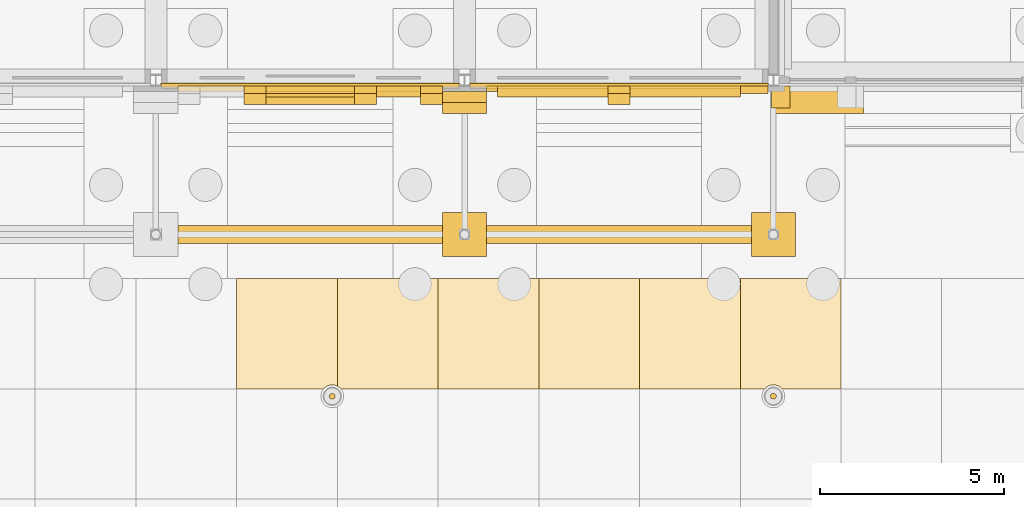
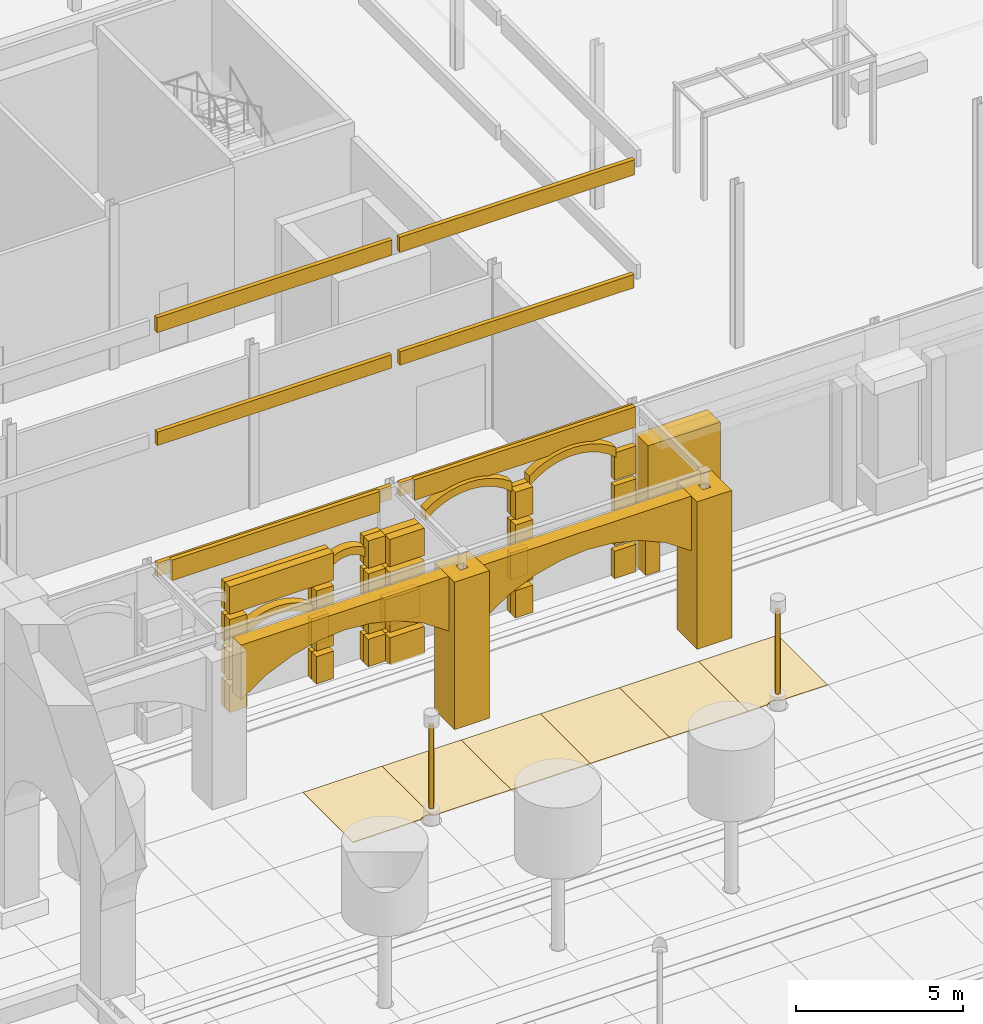
# One storey, part 161 of 222: 68 coverings.
"""IFC4 building model written with IfcOpenShell, lengths in metres."""

from ifc_helpers import new_model, si_unit, direction, frame, origin, origin_2d, place, context, subcontext, project, spatial, polyline, rectangle, hollow_rectangle, circle, outline, extrude, material, layer, layer_set, material_profile, profile_set, type_object, element, save


model = new_model("IFC4")

# Units and contexts
model_context = context("Model", 3, precision=1e-05, world=origin(), true_north=direction((0.0, 1.0)))
body_context = subcontext(model_context, "Body", "Model", "MODEL_VIEW")
ifc_project = project(units=[si_unit("LENGTHUNIT", "METRE"), si_unit("AREAUNIT", "SQUARE_METRE"), si_unit("VOLUMEUNIT", "CUBIC_METRE"), si_unit("PLANEANGLEUNIT", "RADIAN"), si_unit("MASSUNIT", "GRAM", prefix="KILO")], contexts=[model_context])

# Site, building, storey
site_placement = place(None, origin())
site = spatial("IfcSite", under=ifc_project, at=site_placement, CompositionType="ELEMENT")
building_placement = place(site_placement, origin())
building = spatial("IfcBuilding", under=site, at=building_placement, Name="Sava Quay Ferry Terminal", CompositionType="ELEMENT")
storey_placement = place(building_placement, origin())
storey = spatial("IfcBuildingStorey", under=building, at=storey_placement, Name="L00", CompositionType="ELEMENT", Elevation=0.0)

# Coverings
ifc_material_1 = material(Name="Limestone Mutalj ashlar", Category="masonry")
ifc_material_profile = material_profile(ifc_material_1, hollow_rectangle(XDim=1.199951171875, YDim=1.199951171875, WallThickness=0.462890625, at=origin_2d()), Name="Arcade pier 1200")
ifc_profile_set = profile_set([ifc_material_profile], Name="Limestone Mutalj ashlar")
covering_type_1 = type_object("IfcCoveringType", Name="Arcade pier 1200", PredefinedType="CLADDING", material=ifc_profile_set)
for number, where, z_axis, x_axis, name in (
    (1, (117.60009765625, 21.0, 0.0), (0.0, 0.0, 1.0), (1.0, 0.0, 0.0), "Arcade pier"),
    (2, (126.0, 21.0, 0.0), (0.0, 0.0, 1.0), (1.0, 0.0, 0.0), "Arcade pier"),
):
    element("IfcCovering", number, at=place(storey_placement, frame(where, z_axis=z_axis, x_axis=x_axis)), inside=storey, type_object=covering_type_1, Name=name, PredefinedType="CLADDING", context=body_context, shape_type="SweptSolid", body=[
        extrude(hollow_rectangle(XDim=1.199951171875, YDim=1.199951171875, WallThickness=0.462890625, at=origin_2d()), origin(), (0.0, 0.0, 1.0), 5.39990234375),
    ])
ifc_material_2 = material(Name="Limestone Mutalj", Category="masonry")
ifc_layer_1 = layer(ifc_material_2, 0.300048828125)
ifc_layer_set_1 = layer_set([ifc_layer_1], Name="Limestone Mutalj")
covering_type_2 = type_object("IfcCoveringType", Name="Arch band 280", PredefinedType="MOLDING", material=ifc_layer_set_1)
covering_1_placement = place(storey_placement, frame((112.199951171875, 24.739990234375, 2.39990234375), z_axis=(0.0, -1.0, 0.0), x_axis=(0.781799047793, 0.0, 0.623530471485)))
element("IfcCovering", 3, at=covering_1_placement, inside=storey, type_object=covering_type_2, Name="Arch band", PredefinedType="MOLDING", context=body_context, shape_type="SweptSolid", body=[
    extrude(outline(polyline([(0.0, 0.0), (0.30697176602161635, 0.0), (0.5774085434796663, -0.04580853795661438), (0.820139621277012, -0.12635521719699466), (1.0394274147460691, -0.23629570829286917), (1.237403131553046, -0.37295784653010206), (1.4146756881740021, -0.5355781562760831), (1.5706361681328775, -0.7249201131634224), (1.7033442326716173, -0.9438081110252711), (1.8081557286415, -1.1972820210518706), (1.8764322360478165, -1.4965644690350846), (2.1040147689750315, -1.2112154513470075), (2.0113816025263374, -0.9424720286682031), (1.8924127984880728, -0.7067489270997916), (1.751179903284501, -0.49854958809448635), (1.5908047788741946, -0.31474282954357125), (1.41200993106309, -0.1540312088791158), (1.2155565054462616, -0.015460381560357339), (1.0006833564286355, 0.1000153078719414), (0.766477109296122, 0.19125064596886504), (0.5101976399064538, 0.2548099923836675), (0.2275825329272151, 0.2853490176880771), (0.0, 0.0)])), origin(), (0.0, 0.0, -1.0), 0.300048828125),
])
covering_2_placement = place(storey_placement, frame((115.199951171875, 24.739990234375, 3.89990234375), z_axis=(0.0, -1.0, 0.0), x_axis=(0.766686318179, 0.0, 0.642021876199)))
element("IfcCovering", 4, at=covering_2_placement, inside=storey, type_object=covering_type_2, Name="Arch band", PredefinedType="MOLDING", context=body_context, shape_type="SweptSolid", body=[
    extrude(outline(polyline([(0.0, 0.0), (0.15667057654730215, -1.3877787807814457e-17), (0.29293404656438327, -0.02398938309786766), (0.414337308134961, -0.06610472040016957), (0.5230139006591377, -0.1230376562322823), (0.6205921316676617, -0.19360424362325043), (0.7070111298509724, -0.2771166367750381), (0.7823317665186302, -0.3742626814856812), (0.844925734139887, -0.48622632472613514), (0.8926594933146406, -0.6163159221710233), (0.919986145959173, -0.7703949027137791), (1.1489885778747033, -0.49692597916416525), (1.0994043308893047, -0.3694264559410845), (1.0383473638344554, -0.2552470970326215), (0.9677594714851411, -0.1528295969140227), (0.8882067570202763, -0.06073739267965583), (0.8003770662378966, 0.021090386980039788), (0.7042095278284416, 0.09334158786309998), (0.5997650131014718, 0.15532836417148896), (0.4863556762589516, 0.20698984459564596), (0.3634154141219664, 0.2468894662299388), (0.22900243191553027, 0.27346892354961383), (0.0, 0.0)])), origin(), (0.0, 0.0, -1.0), 0.300048828125),
])
covering_3_placement = place(storey_placement, frame((118.5, 24.739990234375, 4.5), z_axis=(0.0, -1.0, 0.0), x_axis=(0.782171011383, 0.0, 0.623063808091)))
element("IfcCovering", 5, at=covering_3_placement, inside=storey, type_object=covering_type_2, Name="Arch band", PredefinedType="MOLDING", context=body_context, shape_type="SweptSolid", body=[
    extrude(outline(polyline([(0.0, 0.0), (0.38361026394291897, 0.0), (0.7217380868167081, -0.05709695615317717), (1.0251448024033882, -0.15738965346254868), (1.2993842465178647, -0.29468969183758004), (1.5471556480034832, -0.4652167214188082), (1.768763237235288, -0.6685888227670815), (1.9639027838382344, -0.9051879153215514), (2.1294931395298256, -1.178490118566637), (2.2607443073734594, -1.4952922933429613), (2.3465130341479634, -1.8691914242724625), (2.5760548521189226, -1.5810332074325149), (2.4648828890282157, -1.2390243496721793), (2.318876547994931, -0.9407452676947119), (2.144615626614576, -0.6783277684654494), (1.9447605091984421, -0.4476484272178306), (1.7214796529038934, -0.24637688278489167), (1.475381518481019, -0.07374929628832916), (1.2058576451797298, 0.06947049339355327), (0.9111214952818136, 0.18064789471874781), (0.5877488455976752, 0.2562679436707819), (0.22954181797095916, 0.2881582168399477), (0.0, 0.0)])), origin(), (0.0, 0.0, -1.0), 0.300048828125),
])
covering_4_placement = place(storey_placement, frame((122.10009765625, 24.739990234375, 4.5), z_axis=(0.0, -1.0, 0.0), x_axis=(0.781923759715, 0.0, 0.623374072281)))
element("IfcCovering", 6, at=covering_4_placement, inside=storey, type_object=covering_type_2, Name="Arch band", PredefinedType="MOLDING", context=body_context, shape_type="SweptSolid", body=[
    extrude(outline(polyline([(0.0, 0.0), (0.3834193343979185, -2.7755575615628914e-17), (0.7215244784021893, -0.05723109819999722), (1.025082280021732, -0.15779635007562864), (1.2992672310674753, -0.2952051775433192), (1.5469709593161145, -0.4658304928504826), (1.7683069472834811, -0.6691383063507048), (1.963352611809143, -0.9058147986260157), (2.129025425761005, -1.1793348664933856), (2.2601508973281392, -1.4961890880363895), (2.3457712791462266, -1.8701222168437752), (2.575427400990079, -1.5820550895462773), (2.464391132924196, -1.2400021530905694), (2.3185031406023544, -0.9416651690212947), (2.144155443320406, -0.6790263644116832), (1.9443918597906626, -0.4482677521537497), (1.7213817715315254, -0.24705983156291944), (1.475352143574657, -0.07433462334636409), (1.2058851115329956, 0.06899208413870384), (0.9110021932435386, 0.1804385992720936), (0.5876595699939753, 0.25618693494582), (0.22965612184385228, 0.288067127297498), (0.0, 0.0)])), origin(), (0.0, 0.0, -1.0), 0.300048828125),
])
ifc_material_3 = material(Name="Limestone Mutalj", Category="masonry")
ifc_layer_2 = layer(ifc_material_3, 0.5)
ifc_layer_set_2 = layer_set([ifc_layer_2], Name="Limestone Mutalj")
covering_type_3 = type_object("IfcCoveringType", Name="Arch spandrel 500", PredefinedType="CLADDING", material=ifc_layer_set_2)
covering_5_placement = place(storey_placement, frame((109.800048828125, 20.75, 3.39990234375), z_axis=(0.0, -1.0, 0.0), x_axis=(0.827289511466, 0.0, 0.561775813131)))
element("IfcCovering", 7, at=covering_5_placement, inside=storey, type_object=covering_type_3, Name="Arch spandrel", PredefinedType="CLADDING", context=body_context, shape_type="SweptSolid", body=[
    extrude(outline(polyline([(0.0, 0.0), (1.0877719725412898, 0.0), (2.0536803747274233, -0.17989488306098533), (2.92338019324587, -0.5010350986935066), (3.7084570438196027, -0.946793875989717), (4.412541708880196, -1.5122589927881132), (5.031801431017692, -2.202205518952071), (5.555256519444271, -3.0336716822838197), (5.956444087558922, -4.044758424080299), (7.079995713820012, -2.3901794011484654), (1.12355162626109, 1.6545790229318331), (0.0, 0.0)])), origin(), (0.0, 0.0, -1.0), 0.5),
])
covering_6_placement = place(storey_placement, frame((118.199951171875, 20.75, 3.39990234375), z_axis=(0.0, -1.0, 0.0), x_axis=(0.82736032354, 0.0, 0.561671518801)))
element("IfcCovering", 8, at=covering_6_placement, inside=storey, type_object=covering_type_3, Name="Arch spandrel", PredefinedType="CLADDING", context=body_context, shape_type="SweptSolid", body=[
    extrude(outline(polyline([(0.0, 0.0), (1.0879739561645294, 0.0), (2.0537030363386926, -0.1796359903397191), (2.9234433315614914, -0.5006665672218591), (3.7087783614579344, -0.9464634993634635), (4.412732312386162, -1.5117027264310134), (5.0322809979880345, -2.2017083087580276), (5.555638906372053, -3.032971350791818), (5.956953931032196, -4.044007510000973), (7.080296968634446, -2.389286862921669), (1.1233430376022504, 1.6547206470793037), (0.0, 0.0)])), origin(), (0.0, 0.0, -1.0), 0.5),
])
ifc_material_4 = material(Name="Limestone Mutalj", Category="masonry")
ifc_layer_3 = layer(ifc_material_4, 0.030029296875)
ifc_layer_set_3 = layer_set([ifc_layer_3], Name="Limestone Mutalj")
covering_type_4 = type_object("IfcCoveringType", Name="Court paving tile 30", PredefinedType="FLOORING", material=ifc_layer_set_3)
covering_7_placement = place(storey_placement, origin())
element("IfcCovering", 9, at=covering_7_placement, inside=storey, type_object=covering_type_4, Name="Limestone paving tile", PredefinedType="FLOORING", context=body_context, shape_type="SweptSolid", body=[
    extrude(outline(polyline([(116.8798828125, 16.800048828125), (116.8798828125, 19.800048828125), (114.139892578125, 19.800048828125), (114.139892578125, 16.8759765625), (114.172119140625, 16.85791015625), (114.196044921875, 16.840087890625), (114.218994140625, 16.820068359375), (114.237060546875, 16.800048828125), (116.8798828125, 16.800048828125)])), origin(), (0.0, 0.0, 1.0), 0.030029296875),
])
covering_8_placement = place(storey_placement, origin())
element("IfcCovering", 10, at=covering_8_placement, inside=storey, type_object=covering_type_4, Name="Limestone paving tile", PredefinedType="FLOORING", context=body_context, shape_type="SweptSolid", body=[
    extrude(outline(polyline([(122.360107421875, 16.800048828125), (122.360107421875, 19.800048828125), (119.6201171875, 19.800048828125), (119.6201171875, 16.800048828125), (122.360107421875, 16.800048828125)])), origin(), (0.0, 0.0, 1.0), 0.030029296875),
])
covering_9_placement = place(storey_placement, origin())
element("IfcCovering", 11, at=covering_9_placement, inside=storey, type_object=covering_type_4, Name="Limestone paving tile", PredefinedType="FLOORING", context=body_context, shape_type="SweptSolid", body=[
    extrude(outline(polyline([(127.840087890625, 16.800048828125), (127.840087890625, 19.800048828125), (125.10009765625, 19.800048828125), (125.10009765625, 16.800048828125), (125.762939453125, 16.800048828125), (125.781005859375, 16.820068359375), (125.802978515625, 16.839111328125), (125.826904296875, 16.85693359375), (125.85302734375, 16.873046875), (125.881103515625, 16.885986328125), (125.909912109375, 16.89697265625), (125.93994140625, 16.904052734375), (125.969970703125, 16.908935546875), (126.0, 16.909912109375), (126.031005859375, 16.907958984375), (126.06103515625, 16.904052734375), (126.090087890625, 16.89599609375), (126.118896484375, 16.885986328125), (126.14697265625, 16.873046875), (126.173095703125, 16.85693359375), (126.197021484375, 16.839111328125), (126.218994140625, 16.820068359375), (126.237060546875, 16.800048828125), (127.840087890625, 16.800048828125)])), origin(), (0.0, 0.0, 1.0), 0.030029296875),
])
ifc_material_5 = material(Name="Red sandstone Vrsac", Category="masonry")
ifc_layer_4 = layer(ifc_material_5, 0.030029296875)
ifc_layer_set_4 = layer_set([ifc_layer_4], Name="Red sandstone Vrsac")
covering_type_5 = type_object("IfcCoveringType", Name="Court paving tile sandstone 30", PredefinedType="FLOORING", material=ifc_layer_set_4)
covering_10_placement = place(storey_placement, origin())
element("IfcCovering", 12, at=covering_10_placement, inside=storey, type_object=covering_type_5, Name="Sandstone paving tile", PredefinedType="FLOORING", context=body_context, shape_type="SweptSolid", body=[
    extrude(outline(polyline([(114.139892578125, 16.8759765625), (114.139892578125, 19.800048828125), (111.39990234375, 19.800048828125), (111.39990234375, 16.800048828125), (113.762939453125, 16.800048828125), (113.781005859375, 16.820068359375), (113.803955078125, 16.840087890625), (113.827880859375, 16.85791015625), (113.85302734375, 16.873046875), (113.882080078125, 16.886962890625), (113.909912109375, 16.89697265625), (113.93896484375, 16.904052734375), (113.968994140625, 16.907958984375), (114.0, 16.909912109375), (114.031005859375, 16.907958984375), (114.06005859375, 16.904052734375), (114.090087890625, 16.89697265625), (114.117919921875, 16.886962890625), (114.139892578125, 16.8759765625)])), origin(), (0.0, 0.0, 1.0), 0.030029296875),
])
covering_11_placement = place(storey_placement, origin())
element("IfcCovering", 13, at=covering_11_placement, inside=storey, type_object=covering_type_5, Name="Sandstone paving tile", PredefinedType="FLOORING", context=body_context, shape_type="SweptSolid", body=[
    extrude(outline(polyline([(119.6201171875, 16.800048828125), (119.6201171875, 19.800048828125), (116.8798828125, 19.800048828125), (116.8798828125, 16.800048828125), (119.6201171875, 16.800048828125)])), origin(), (0.0, 0.0, 1.0), 0.030029296875),
])
covering_12_placement = place(storey_placement, origin())
element("IfcCovering", 14, at=covering_12_placement, inside=storey, type_object=covering_type_5, Name="Sandstone paving tile", PredefinedType="FLOORING", context=body_context, shape_type="SweptSolid", body=[
    extrude(outline(polyline([(125.10009765625, 16.800048828125), (125.10009765625, 19.800048828125), (122.360107421875, 19.800048828125), (122.360107421875, 16.800048828125), (125.10009765625, 16.800048828125)])), origin(), (0.0, 0.0, 1.0), 0.030029296875),
])
ifc_material_6 = material(Name="Steel S355", Category="steel")
ifc_layer_5 = layer(ifc_material_6, 0.159912109375)
ifc_layer_set_5 = layer_set([ifc_layer_5], Name="Steel S355")
covering_type_6 = type_object("IfcCoveringType", Name="Lamp standard column 160", PredefinedType="CLADDING", material=ifc_layer_set_5)
for number, where, z_axis, x_axis, name in (
    (15, (114.0, 16.60009765625, 3.550048828125), (0.0, 0.0, -1.0), (1.0, 0.0, 0.0), "Lamp standard column"),
    (16, (126.0, 16.60009765625, 3.550048828125), (0.0, 0.0, -1.0), (1.0, 0.0, 0.0), "Lamp standard column"),
):
    element("IfcCovering", number, at=place(storey_placement, frame(where, z_axis=z_axis, x_axis=x_axis)), inside=storey, type_object=covering_type_6, Name=name, PredefinedType="CLADDING", context=body_context, shape_type="SweptSolid", body=[
        extrude(circle(Radius=0.080078125, at=origin_2d()), origin(), (0.0, 0.0, 1.0), 3.050048828125),
    ])
ifc_material_7 = material(Name="Limestone Mutalj", Category="masonry")
ifc_layer_6 = layer(ifc_material_7, 0.14990234375)
ifc_layer_set_6 = layer_set([ifc_layer_6], Name="Limestone Mutalj")
covering_type_7 = type_object("IfcCoveringType", Name="Limestone string course 150", PredefinedType="CLADDING", material=ifc_layer_set_6)
covering_13_placement = place(storey_placement, frame((0.0, 0.0, 5.25)))
element("IfcCovering", 17, at=covering_13_placement, inside=storey, type_object=covering_type_7, Name="String course P-S", PredefinedType="CLADDING", context=body_context, shape_type="SweptSolid", body=[
    extrude(outline(polyline([(109.800048828125, 25.0400390625), (117.0, 25.0400390625), (117.0, 24.889892578125), (109.800048828125, 24.889892578125), (109.800048828125, 25.0400390625)])), origin(), (0.0, 0.0, 1.0), 0.75),
])
covering_14_placement = place(storey_placement, frame((0.0, 0.0, 5.25)))
element("IfcCovering", 18, at=covering_14_placement, inside=storey, type_object=covering_type_7, Name="String course P-S", PredefinedType="CLADDING", context=body_context, shape_type="SweptSolid", body=[
    extrude(outline(polyline([(118.199951171875, 25.0400390625), (125.85009765625, 25.0400390625), (125.85009765625, 24.889892578125), (118.199951171875, 24.889892578125), (118.199951171875, 25.0400390625)])), origin(), (0.0, 0.0, 1.0), 0.75),
])
ifc_material_8 = material(Name="Limestone Mutalj", Category="masonry")
ifc_layer_7 = layer(ifc_material_8, 0.60009765625)
ifc_layer_set_7 = layer_set([ifc_layer_7], Name="Limestone Mutalj")
covering_type_8 = type_object("IfcCoveringType", Name="Reveal jamb 600", PredefinedType="MOLDING", material=ifc_layer_set_7)
covering_15_placement = place(storey_placement, frame((126.199951171875, 24.739990234375, 0.06005859375), z_axis=(0.0, 0.0, 1.0), x_axis=(1.0, 0.0, 0.0)))
element("IfcCovering", 19, at=covering_15_placement, inside=storey, type_object=covering_type_8, Name="Reveal jamb", PredefinedType="MOLDING", context=body_context, shape_type="SweptSolid", body=[
    extrude(rectangle(XDim=0.5, YDim=0.60009765625, at=origin_2d()), origin(), (0.0, 0.0, 1.0), 2.340087890625),
])
ifc_material_9 = material(Name="Limestone Mutalj", Category="masonry")
ifc_layer_8 = layer(ifc_material_9, 0.75)
ifc_layer_set_8 = layer_set([ifc_layer_8], Name="Limestone Mutalj")
covering_type_9 = type_object("IfcCoveringType", Name="Reveal lintel 750", PredefinedType="MOLDING", material=ifc_layer_set_8)
covering_16_placement = place(storey_placement, frame((127.199951171875, 24.6650390625, 2.39990234375), z_axis=(0.0, 0.0, 1.0), x_axis=(1.0, 0.0, 0.0)))
element("IfcCovering", 20, at=covering_16_placement, inside=storey, type_object=covering_type_9, Name="Reveal lintel", PredefinedType="MOLDING", context=body_context, shape_type="SweptSolid", body=[
    extrude(rectangle(XDim=2.5, YDim=0.75, at=origin_2d()), origin(), (0.0, 0.0, 1.0), 2.5),
])
ifc_material_10 = material(Name="Limestone Mutalj", Category="masonry")
ifc_layer_9 = layer(ifc_material_10, 0.300048828125)
ifc_layer_set_9 = layer_set([ifc_layer_9], Name="Limestone Mutalj")
covering_type_10 = type_object("IfcCoveringType", Name="Rusticated course deepening 300", PredefinedType="CLADDING", material=ifc_layer_set_9)
for number, where, z_axis, x_axis, name in (
    (21, (117.60009765625, 24.43994140625, 0.0), (0.0, 0.0, 1.0), (1.0, 0.0, 0.0), "Rusticated course deepening"),
    (22, (117.60009765625, 24.43994140625, 1.199951171875), (0.0, 0.0, 1.0), (1.0, 0.0, 0.0), "Rusticated course deepening"),
    (23, (117.60009765625, 24.43994140625, 2.39990234375), (0.0, 0.0, 1.0), (1.0, 0.0, 0.0), "Rusticated course deepening"),
    (24, (117.60009765625, 24.43994140625, 3.60009765625), (0.0, 0.0, 1.0), (1.0, 0.0, 0.0), "Rusticated course deepening"),
):
    element("IfcCovering", number, at=place(storey_placement, frame(where, z_axis=z_axis, x_axis=x_axis)), inside=storey, type_object=covering_type_10, Name=name, PredefinedType="CLADDING", context=body_context, shape_type="SweptSolid", body=[
        extrude(rectangle(XDim=1.199951171875, YDim=0.300048828125, at=origin_2d()), origin(), (0.0, 0.0, 1.0), 1.0),
    ])
for number, where, z_axis, x_axis, name in (
    (25, (111.89990234375, 24.68994140625, 0.0), (0.0, 0.0, 1.0), (1.0, 0.0, 0.0), "Rusticated course deepening"),
    (26, (114.89990234375, 24.68994140625, 0.0), (0.0, 0.0, 1.0), (1.0, 0.0, 0.0), "Rusticated course deepening"),
    (27, (116.699951171875, 24.68994140625, 0.0), (0.0, 0.0, 1.0), (1.0, 0.0, 0.0), "Rusticated course deepening"),
    (28, (111.89990234375, 24.68994140625, 1.199951171875), (0.0, 0.0, 1.0), (1.0, 0.0, 0.0), "Rusticated course deepening"),
    (29, (114.89990234375, 24.68994140625, 1.199951171875), (0.0, 0.0, 1.0), (1.0, 0.0, 0.0), "Rusticated course deepening"),
    (30, (116.699951171875, 24.68994140625, 1.199951171875), (0.0, 0.0, 1.0), (1.0, 0.0, 0.0), "Rusticated course deepening"),
    (31, (111.89990234375, 24.68994140625, 2.39990234375), (0.0, 0.0, 1.0), (1.0, 0.0, 0.0), "Rusticated course deepening"),
    (32, (114.89990234375, 24.68994140625, 2.39990234375), (0.0, 0.0, 1.0), (1.0, 0.0, 0.0), "Rusticated course deepening"),
    (33, (116.699951171875, 24.68994140625, 2.39990234375), (0.0, 0.0, 1.0), (1.0, 0.0, 0.0), "Rusticated course deepening"),
):
    element("IfcCovering", number, at=place(storey_placement, frame(where, z_axis=z_axis, x_axis=x_axis)), inside=storey, type_object=covering_type_10, Name=name, PredefinedType="CLADDING", context=body_context, shape_type="SweptSolid", body=[
        extrude(rectangle(XDim=0.60009765625, YDim=0.300048828125, at=origin_2d()), origin(), (0.0, 0.0, 1.0), 1.0),
    ])
covering_17_placement = place(storey_placement, frame((113.39990234375, 24.68994140625, 3.60009765625), z_axis=(0.0, 0.0, 1.0), x_axis=(1.0, 0.0, 0.0)))
element("IfcCovering", 34, at=covering_17_placement, inside=storey, type_object=covering_type_10, Name="Rusticated course deepening", PredefinedType="CLADDING", context=body_context, shape_type="SweptSolid", body=[
    extrude(rectangle(XDim=3.60009765625, YDim=0.300048828125, at=origin_2d()), origin(), (0.0, 0.0, 1.0), 1.0),
])
for number, where, z_axis, x_axis, name in (
    (35, (116.699951171875, 24.68994140625, 3.60009765625), (0.0, 0.0, 1.0), (1.0, 0.0, 0.0), "Rusticated course deepening"),
    (36, (121.800048828125, 24.68994140625, 0.0), (0.0, 0.0, 1.0), (1.0, 0.0, 0.0), "Rusticated course deepening"),
    (37, (121.800048828125, 24.68994140625, 1.199951171875), (0.0, 0.0, 1.0), (1.0, 0.0, 0.0), "Rusticated course deepening"),
    (38, (121.800048828125, 24.68994140625, 2.39990234375), (0.0, 0.0, 1.0), (1.0, 0.0, 0.0), "Rusticated course deepening"),
    (39, (121.800048828125, 24.68994140625, 3.60009765625), (0.0, 0.0, 1.0), (1.0, 0.0, 0.0), "Rusticated course deepening"),
):
    element("IfcCovering", number, at=place(storey_placement, frame(where, z_axis=z_axis, x_axis=x_axis)), inside=storey, type_object=covering_type_10, Name=name, PredefinedType="CLADDING", context=body_context, shape_type="SweptSolid", body=[
        extrude(rectangle(XDim=0.60009765625, YDim=0.300048828125, at=origin_2d()), origin(), (0.0, 0.0, 1.0), 1.0),
    ])
ifc_material_11 = material(Name="Limestone Mutalj", Category="masonry")
ifc_layer_10 = layer(ifc_material_11, 0.300048828125)
ifc_layer_set_10 = layer_set([ifc_layer_10], Name="Limestone Mutalj")
covering_type_11 = type_object("IfcCoveringType", Name="Rusticated pier course 300", PredefinedType="CLADDING", material=ifc_layer_set_10)
for number, where, z_axis, x_axis, name in (
    (40, (117.60009765625, 24.739990234375, 0.0), (0.0, 0.0, 1.0), (1.0, 0.0, 0.0), "Rusticated pier course"),
    (41, (117.60009765625, 24.739990234375, 1.199951171875), (0.0, 0.0, 1.0), (1.0, 0.0, 0.0), "Rusticated pier course"),
    (42, (117.60009765625, 24.739990234375, 2.39990234375), (0.0, 0.0, 1.0), (1.0, 0.0, 0.0), "Rusticated pier course"),
    (43, (117.60009765625, 24.739990234375, 3.60009765625), (0.0, 0.0, 1.0), (1.0, 0.0, 0.0), "Rusticated pier course"),
):
    element("IfcCovering", number, at=place(storey_placement, frame(where, z_axis=z_axis, x_axis=x_axis)), inside=storey, type_object=covering_type_11, Name=name, PredefinedType="CLADDING", context=body_context, shape_type="SweptSolid", body=[
        extrude(rectangle(XDim=1.199951171875, YDim=0.300048828125, at=origin_2d()), origin(), (0.0, 0.0, 1.0), 1.0),
    ])
ifc_material_12 = material(Name="Limestone Mutalj", Category="masonry")
ifc_layer_11 = layer(ifc_material_12, 0.199951171875)
ifc_layer_set_11 = layer_set([ifc_layer_11], Name="Limestone Mutalj")
covering_type_12 = type_object("IfcCoveringType", Name="Rusticated wall course 200", PredefinedType="CLADDING", material=ifc_layer_set_11)
for number, where, z_axis, x_axis, name in (
    (44, (111.89990234375, 24.93994140625, 0.0), (0.0, 0.0, 1.0), (1.0, 0.0, 0.0), "Rusticated wall course"),
    (45, (114.89990234375, 24.93994140625, 0.0), (0.0, 0.0, 1.0), (1.0, 0.0, 0.0), "Rusticated wall course"),
    (46, (116.699951171875, 24.93994140625, 0.0), (0.0, 0.0, 1.0), (1.0, 0.0, 0.0), "Rusticated wall course"),
    (47, (111.89990234375, 24.93994140625, 1.199951171875), (0.0, 0.0, 1.0), (1.0, 0.0, 0.0), "Rusticated wall course"),
    (48, (114.89990234375, 24.93994140625, 1.199951171875), (0.0, 0.0, 1.0), (1.0, 0.0, 0.0), "Rusticated wall course"),
    (49, (116.699951171875, 24.93994140625, 1.199951171875), (0.0, 0.0, 1.0), (1.0, 0.0, 0.0), "Rusticated wall course"),
    (50, (111.89990234375, 24.93994140625, 2.39990234375), (0.0, 0.0, 1.0), (1.0, 0.0, 0.0), "Rusticated wall course"),
    (51, (114.89990234375, 24.93994140625, 2.39990234375), (0.0, 0.0, 1.0), (1.0, 0.0, 0.0), "Rusticated wall course"),
    (52, (116.699951171875, 24.93994140625, 2.39990234375), (0.0, 0.0, 1.0), (1.0, 0.0, 0.0), "Rusticated wall course"),
):
    element("IfcCovering", number, at=place(storey_placement, frame(where, z_axis=z_axis, x_axis=x_axis)), inside=storey, type_object=covering_type_12, Name=name, PredefinedType="CLADDING", context=body_context, shape_type="SweptSolid", body=[
        extrude(rectangle(XDim=0.60009765625, YDim=0.199951171875, at=origin_2d()), origin(), (0.0, 0.0, 1.0), 1.0),
    ])
covering_18_placement = place(storey_placement, frame((113.39990234375, 24.93994140625, 3.60009765625), z_axis=(0.0, 0.0, 1.0), x_axis=(1.0, 0.0, 0.0)))
element("IfcCovering", 53, at=covering_18_placement, inside=storey, type_object=covering_type_12, Name="Rusticated wall course", PredefinedType="CLADDING", context=body_context, shape_type="SweptSolid", body=[
    extrude(rectangle(XDim=3.60009765625, YDim=0.199951171875, at=origin_2d()), origin(), (0.0, 0.0, 1.0), 1.0),
])
for number, where, z_axis, x_axis, name in (
    (54, (116.699951171875, 24.93994140625, 3.60009765625), (0.0, 0.0, 1.0), (1.0, 0.0, 0.0), "Rusticated wall course"),
    (55, (121.800048828125, 24.93994140625, 0.0), (0.0, 0.0, 1.0), (1.0, 0.0, 0.0), "Rusticated wall course"),
):
    element("IfcCovering", number, at=place(storey_placement, frame(where, z_axis=z_axis, x_axis=x_axis)), inside=storey, type_object=covering_type_12, Name=name, PredefinedType="CLADDING", context=body_context, shape_type="SweptSolid", body=[
        extrude(rectangle(XDim=0.60009765625, YDim=0.199951171875, at=origin_2d()), origin(), (0.0, 0.0, 1.0), 1.0),
    ])
covering_19_placement = place(storey_placement, frame((125.47509765625, 24.93994140625, 0.0), z_axis=(0.0, 0.0, 1.0), x_axis=(1.0, 0.0, 0.0)))
element("IfcCovering", 56, at=covering_19_placement, inside=storey, type_object=covering_type_12, Name="Rusticated wall course", PredefinedType="CLADDING", context=body_context, shape_type="SweptSolid", body=[
    extrude(rectangle(XDim=0.75, YDim=0.199951171875, at=origin_2d()), origin(), (0.0, 0.0, 1.0), 1.0),
])
covering_20_placement = place(storey_placement, frame((121.800048828125, 24.93994140625, 1.199951171875), z_axis=(0.0, 0.0, 1.0), x_axis=(1.0, 0.0, 0.0)))
element("IfcCovering", 57, at=covering_20_placement, inside=storey, type_object=covering_type_12, Name="Rusticated wall course", PredefinedType="CLADDING", context=body_context, shape_type="SweptSolid", body=[
    extrude(rectangle(XDim=0.60009765625, YDim=0.199951171875, at=origin_2d()), origin(), (0.0, 0.0, 1.0), 1.0),
])
covering_21_placement = place(storey_placement, frame((125.47509765625, 24.93994140625, 1.199951171875), z_axis=(0.0, 0.0, 1.0), x_axis=(1.0, 0.0, 0.0)))
element("IfcCovering", 58, at=covering_21_placement, inside=storey, type_object=covering_type_12, Name="Rusticated wall course", PredefinedType="CLADDING", context=body_context, shape_type="SweptSolid", body=[
    extrude(rectangle(XDim=0.75, YDim=0.199951171875, at=origin_2d()), origin(), (0.0, 0.0, 1.0), 1.0),
])
covering_22_placement = place(storey_placement, frame((121.800048828125, 24.93994140625, 2.39990234375), z_axis=(0.0, 0.0, 1.0), x_axis=(1.0, 0.0, 0.0)))
element("IfcCovering", 59, at=covering_22_placement, inside=storey, type_object=covering_type_12, Name="Rusticated wall course", PredefinedType="CLADDING", context=body_context, shape_type="SweptSolid", body=[
    extrude(rectangle(XDim=0.60009765625, YDim=0.199951171875, at=origin_2d()), origin(), (0.0, 0.0, 1.0), 1.0),
])
covering_23_placement = place(storey_placement, frame((125.47509765625, 24.93994140625, 2.39990234375), z_axis=(0.0, 0.0, 1.0), x_axis=(1.0, 0.0, 0.0)))
element("IfcCovering", 60, at=covering_23_placement, inside=storey, type_object=covering_type_12, Name="Rusticated wall course", PredefinedType="CLADDING", context=body_context, shape_type="SweptSolid", body=[
    extrude(rectangle(XDim=0.75, YDim=0.199951171875, at=origin_2d()), origin(), (0.0, 0.0, 1.0), 1.0),
])
covering_24_placement = place(storey_placement, frame((121.800048828125, 24.93994140625, 3.60009765625), z_axis=(0.0, 0.0, 1.0), x_axis=(1.0, 0.0, 0.0)))
element("IfcCovering", 61, at=covering_24_placement, inside=storey, type_object=covering_type_12, Name="Rusticated wall course", PredefinedType="CLADDING", context=body_context, shape_type="SweptSolid", body=[
    extrude(rectangle(XDim=0.60009765625, YDim=0.199951171875, at=origin_2d()), origin(), (0.0, 0.0, 1.0), 1.0),
])
covering_25_placement = place(storey_placement, frame((125.47509765625, 24.93994140625, 3.60009765625), z_axis=(0.0, 0.0, 1.0), x_axis=(1.0, 0.0, 0.0)))
element("IfcCovering", 62, at=covering_25_placement, inside=storey, type_object=covering_type_12, Name="Rusticated wall course", PredefinedType="CLADDING", context=body_context, shape_type="SweptSolid", body=[
    extrude(rectangle(XDim=0.75, YDim=0.199951171875, at=origin_2d()), origin(), (0.0, 0.0, 1.0), 1.0),
])
ifc_material_13 = material(Name="Limestone Mutalj", Category="masonry")
ifc_layer_12 = layer(ifc_material_13, 0.14990234375)
ifc_layer_set_12 = layer_set([ifc_layer_12], Name="Limestone Mutalj")
covering_type_13 = type_object("IfcCoveringType", Name="Slab edge fascia 150", PredefinedType="CLADDING", material=ifc_layer_set_12)
covering_26_placement = place(storey_placement, frame((0.0, 0.0, 5.510009765625)))
element("IfcCovering", 63, at=covering_26_placement, inside=storey, type_object=covering_type_13, Name="Slab edge fascia", PredefinedType="CLADDING", context=body_context, shape_type="SweptSolid", body=[
    extrude(outline(polyline([(117.449951171875, 25.116943359375), (109.35009765625, 25.116943359375), (109.35009765625, 24.967041015625), (117.449951171875, 24.967041015625), (117.449951171875, 25.116943359375)])), origin(), (0.0, 0.0, 1.0), 0.489990234375),
])
covering_27_placement = place(storey_placement, frame((0.0, 0.0, 5.510009765625)))
element("IfcCovering", 64, at=covering_27_placement, inside=storey, type_object=covering_type_13, Name="Slab edge fascia", PredefinedType="CLADDING", context=body_context, shape_type="SweptSolid", body=[
    extrude(outline(polyline([(125.85009765625, 25.116943359375), (117.75, 25.116943359375), (117.75, 24.967041015625), (125.85009765625, 24.967041015625), (125.85009765625, 25.116943359375)])), origin(), (0.0, 0.0, 1.0), 0.489990234375),
])
covering_28_placement = place(storey_placement, frame((0.0, 0.0, 10.31005859375)))
element("IfcCovering", 65, at=covering_28_placement, inside=storey, type_object=covering_type_13, Name="Slab edge fascia", PredefinedType="CLADDING", context=body_context, shape_type="SweptSolid", body=[
    extrude(outline(polyline([(117.449951171875, 25.116943359375), (109.35009765625, 25.116943359375), (109.35009765625, 24.967041015625), (117.449951171875, 24.967041015625), (117.449951171875, 25.116943359375)])), origin(), (0.0, 0.0, 1.0), 0.489990234375),
])
covering_29_placement = place(storey_placement, frame((0.0, 0.0, 10.31005859375)))
element("IfcCovering", 66, at=covering_29_placement, inside=storey, type_object=covering_type_13, Name="Slab edge fascia", PredefinedType="CLADDING", context=body_context, shape_type="SweptSolid", body=[
    extrude(outline(polyline([(125.85009765625, 25.116943359375), (117.75, 25.116943359375), (117.75, 24.967041015625), (125.85009765625, 24.967041015625), (125.85009765625, 25.116943359375)])), origin(), (0.0, 0.0, 1.0), 0.489990234375),
])
covering_30_placement = place(storey_placement, frame((0.0, 0.0, 14.449951171875)))
element("IfcCovering", 67, at=covering_30_placement, inside=storey, type_object=covering_type_13, Name="Slab edge fascia", PredefinedType="CLADDING", context=body_context, shape_type="SweptSolid", body=[
    extrude(outline(polyline([(117.469970703125, 25.112060546875), (109.330078125, 25.112060546875), (109.330078125, 24.9619140625), (117.469970703125, 24.9619140625), (117.469970703125, 25.112060546875)])), origin(), (0.0, 0.0, 1.0), 0.550048828125),
])
covering_31_placement = place(storey_placement, frame((0.0, 0.0, 14.449951171875)))
element("IfcCovering", 68, at=covering_31_placement, inside=storey, type_object=covering_type_13, Name="Slab edge fascia", PredefinedType="CLADDING", context=body_context, shape_type="SweptSolid", body=[
    extrude(outline(polyline([(125.8701171875, 25.112060546875), (117.72998046875, 25.112060546875), (117.72998046875, 24.9619140625), (125.8701171875, 24.9619140625), (125.8701171875, 25.112060546875)])), origin(), (0.0, 0.0, 1.0), 0.550048828125),
])

save(model, "model.ifc")
